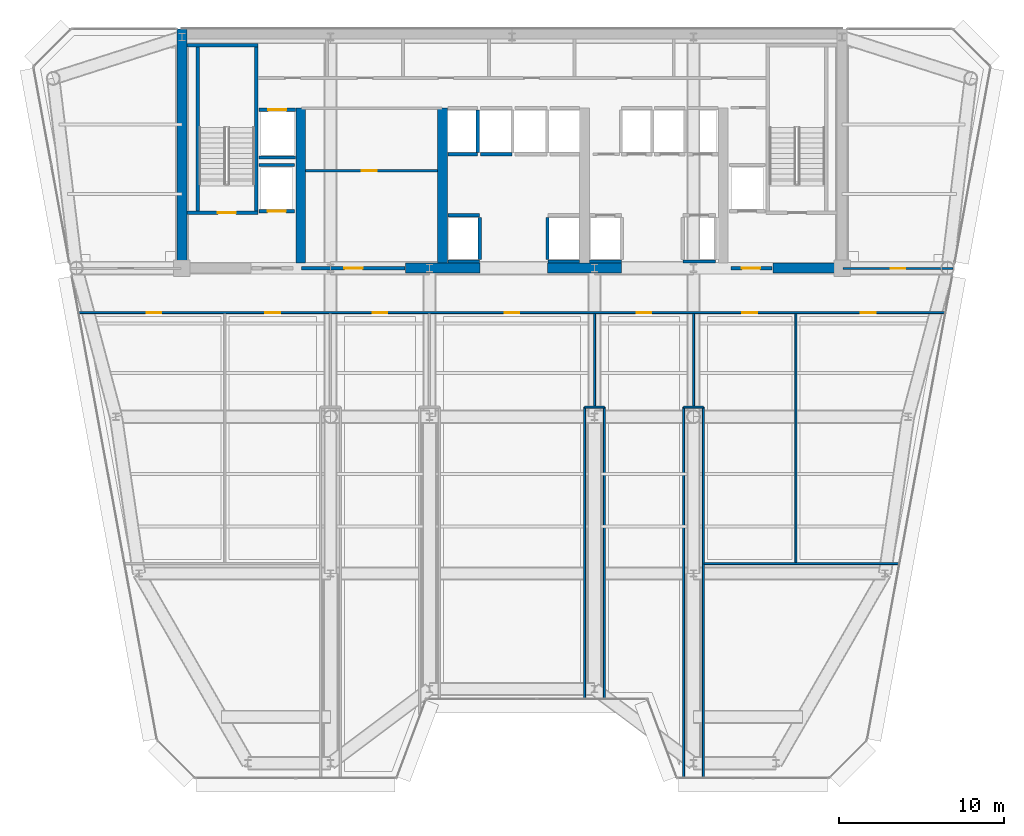
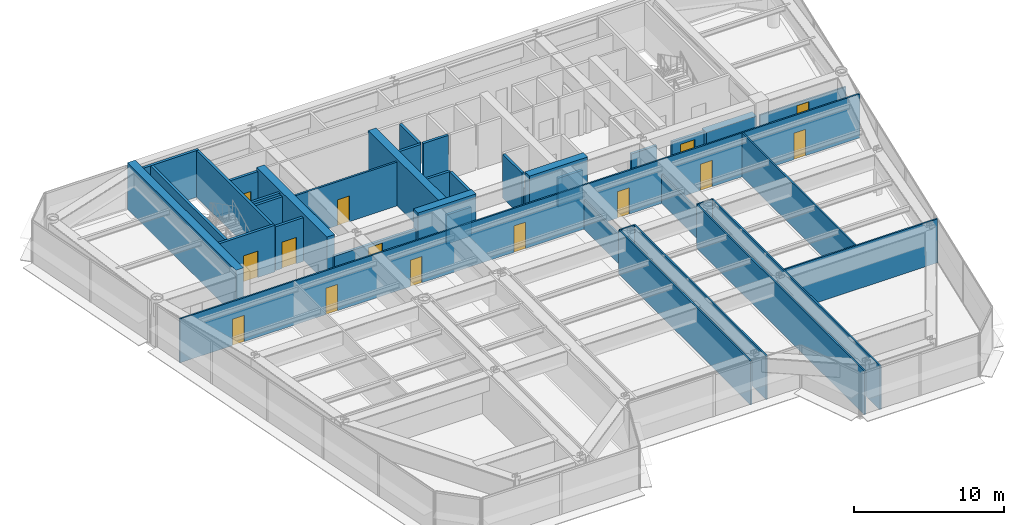
# One storey, part 10 of 16: 39 walls, 14 doors, 14 openings.
"""IFC4 building model written with IfcOpenShell, lengths in metres."""

import ifcopenshell
import ifcopenshell.guid

model = None  # the IFC model being written
_history = None  # IfcOwnerHistory: only IFC2X3 demands one
_inside = {}  # id of a spatial element -> (the spatial element, [elements in it])
_under = {}  # id of a project, library or spatial element -> (it, [spatial elements below it])
_declared = {}  # id of a project -> (the project, [libraries it declares])
_typed = {}  # id of a type object -> (the type object, [elements of that type])
_made_of = {}  # id of a material, layer set ... -> (it, [elements and type objects made of it])


def new_model(schema):
    """Start an empty IFC model of exactly this schema.

    Asked for "IFC4X3", IfcOpenShell would pick the latest addendum, in which some entities
    have other attributes; the version numbers below select the first issue.
    IFC2X3 requires an IfcOwnerHistory on every rooted entity: one is made here for all.
    """
    global model, _history
    if schema == "IFC4X3":
        model = ifcopenshell.file(schema_version=(4, 3, 0, 0))
    else:
        model = ifcopenshell.file(schema=schema)
    _inside.clear()
    _under.clear()
    _declared.clear()
    _typed.clear()
    _made_of.clear()
    _history = None
    if model.schema == "IFC2X3":
        org = make("IfcOrganization", Name="unknown")
        user = make(
            "IfcPersonAndOrganization",
            ThePerson=make("IfcPerson", FamilyName="unknown"),
            TheOrganization=org,
        )
        app = make(
            "IfcApplication",
            ApplicationDeveloper=org,
            Version="unknown",
            ApplicationFullName="unknown",
            ApplicationIdentifier="unknown",
        )
        _history = make(
            "IfcOwnerHistory",
            OwningUser=user,
            OwningApplication=app,
            ChangeAction="ADDED",
            CreationDate=0,
        )
    return model


def make(cls, **values):
    """One entity of the class cls with the attributes given. An attribute that is None is left unset."""
    return model.create_entity(
        cls, **{name: value for name, value in values.items() if value is not None}
    )


def rooted(cls, **values):
    """An entity with a GlobalId (a new one), such as an element, a storey or a relation."""
    return make(cls, GlobalId=ifcopenshell.guid.new(), OwnerHistory=_history, **values)


def si_unit(unit_type, name, prefix=None):
    """IfcSIUnit, for example si_unit("LENGTHUNIT", "METRE", prefix="MILLI")."""
    return make("IfcSIUnit", UnitType=unit_type, Prefix=prefix, Name=name)


def assignment(units):
    """IfcUnitAssignment: the units of a project."""
    return None if units is None else make("IfcUnitAssignment", Units=units)


def point(xyz):
    """IfcCartesianPoint."""
    return None if xyz is None else make("IfcCartesianPoint", Coordinates=xyz)


def direction(xyz):
    """IfcDirection."""
    return None if xyz is None else make("IfcDirection", DirectionRatios=xyz)


def frame(location, z_axis=None, x_axis=None):
    """IfcAxis2Placement3D, a coordinate frame: its origin and axes. An axis left out is left unset."""
    return make(
        "IfcAxis2Placement3D",
        Location=point(location),
        Axis=direction(z_axis),
        RefDirection=direction(x_axis),
    )


def frame_2d(location, x_axis=None):
    """IfcAxis2Placement2D, a coordinate frame in the plane: its origin and x axis."""
    return make(
        "IfcAxis2Placement2D", Location=point(location), RefDirection=direction(x_axis)
    )


def origin():
    """The frame at (0, 0, 0) with its axes left unset."""
    return frame((0.0, 0.0, 0.0))


def place(relative_to, where):
    """IfcLocalPlacement: puts the frame where relative to a parent placement (None: the world)."""
    return make(
        "IfcLocalPlacement", PlacementRelTo=relative_to, RelativePlacement=where
    )


def context(
    kind, dimensions, precision=None, world=None, true_north=None, identifier=None
):
    """IfcGeometricRepresentationContext, for example the 3D "Model" context."""
    return make(
        "IfcGeometricRepresentationContext",
        ContextIdentifier=identifier,
        ContextType=kind,
        CoordinateSpaceDimension=dimensions,
        Precision=precision,
        WorldCoordinateSystem=world,
        TrueNorth=true_north,
    )


def subcontext(parent, identifier, kind, view, scale=None):
    """IfcGeometricRepresentationSubContext, for example "Body" below "Model"."""
    return make(
        "IfcGeometricRepresentationSubContext",
        ContextIdentifier=identifier,
        ContextType=kind,
        ParentContext=parent,
        TargetScale=scale,
        TargetView=view,
    )


def project(units=None, contexts=None):
    """IfcProject with its units and contexts."""
    return rooted(
        "IfcProject",
        Name="project",
        RepresentationContexts=contexts,
        UnitsInContext=assignment(units),
    )


def spatial(cls, under=None, at=None, **own):
    """A site, building, storey or space (cls), placed at a placement, below another one or the project."""
    s = rooted(cls, ObjectPlacement=at, **own)
    if under is not None:
        _under.setdefault(under.id(), (under, []))[1].append(s)
    return s


def profile(cls, at=None, kind="AREA", **sizes):
    """A parametric profile (cls). Its sizes go by their IFC names, for example OverallWidth=200.0."""
    return make(cls, ProfileType=kind, Position=at, **sizes)


def rectangle(**sizes):
    """IfcRectangleProfileDef."""
    return profile("IfcRectangleProfileDef", **sizes)


def extrude(swept, where, along, depth):
    """IfcExtrudedAreaSolid: the profile swept, set in the frame where, extruded along a direction by depth."""
    return make(
        "IfcExtrudedAreaSolid",
        SweptArea=swept,
        Position=where,
        ExtrudedDirection=direction(along),
        Depth=depth,
    )


def shape(context_of_items, identifier, shape_type, items):
    """IfcShapeRepresentation: the items that make up one representation, for example the "Body"."""
    return make(
        "IfcShapeRepresentation",
        ContextOfItems=context_of_items,
        RepresentationIdentifier=identifier,
        RepresentationType=shape_type,
        Items=items,
    )


def source(mapping_origin, context_of_items, identifier, shape_type, items):
    """IfcRepresentationMap: a shape defined once, which mapped items show again and again."""
    return make(
        "IfcRepresentationMap",
        MappingOrigin=mapping_origin,
        MappedRepresentation=shape(context_of_items, identifier, shape_type, items),
    )


def transform(
    local_origin,
    x_axis=None,
    y_axis=None,
    z_axis=None,
    scale=None,
    scale2=None,
    scale3=None,
    uniform=True,
):
    """IfcCartesianTransformationOperator3D, or its non-uniform kind. x_axis, y_axis, z_axis: its Axis1, 2, 3."""
    if uniform:
        return make(
            "IfcCartesianTransformationOperator3D",
            Axis1=direction(x_axis),
            Axis2=direction(y_axis),
            LocalOrigin=point(local_origin),
            Scale=scale,
            Axis3=direction(z_axis),
        )
    return make(
        "IfcCartesianTransformationOperator3DnonUniform",
        Axis1=direction(x_axis),
        Axis2=direction(y_axis),
        LocalOrigin=point(local_origin),
        Scale=scale,
        Axis3=direction(z_axis),
        Scale2=scale2,
        Scale3=scale3,
    )


def mapped(mapping_source, mapping_target):
    """IfcMappedItem: shows the shape of a source again, moved by a transform."""
    return make(
        "IfcMappedItem", MappingSource=mapping_source, MappingTarget=mapping_target
    )


def material(Name=None, Category=None):
    """IfcMaterial."""
    return make("IfcMaterial", Name=Name, Category=Category)


def layer(
    of_material, thickness, ventilated=None, Name=None, Category=None, Priority=None
):
    """IfcMaterialLayer: one layer of a wall or slab, of a material (None: an air gap)."""
    return make(
        "IfcMaterialLayer",
        Material=of_material,
        LayerThickness=thickness,
        IsVentilated=ventilated,
        Name=Name,
        Category=Category,
        Priority=Priority,
    )


def layer_set(layers, Name=None):
    """IfcMaterialLayerSet."""
    return make("IfcMaterialLayerSet", MaterialLayers=layers, LayerSetName=Name)


def made_of(thing, what):
    """Note that an element or type object is made of a material, layer set ...; save() writes the relation."""
    if what is not None:
        _made_of.setdefault(what.id(), (what, []))[1].append(thing)
    return thing


def type_object(cls, material=None, **own):
    """A type object (cls), such as IfcWallType, which elements share."""
    return made_of(rooted(cls, **own), material)


def element(
    cls,
    number,
    at=None,
    inside=None,
    cuts=None,
    type_object=None,
    material=None,
    context=None,
    identifier="Body",
    shape_type=None,
    held_by="IfcProductDefinitionShape",
    body=None,
    shapes=None,
    **own,
):
    """One element of the class cls, such as IfcWall. Its Tag is "e" and its number.

    at: its placement. inside: the storey or other place that contains it. cuts: it is an
    opening in that element (IfcRelVoidsElement). A single representation is given by context,
    identifier, shape_type and body (its items); several are given by shapes. held_by: the class
    of the entity that holds the representations. save() writes the other relations.
    """
    e = rooted(cls, Tag="e%d" % number, ObjectPlacement=at, **own)
    if body is not None:
        shapes = [shape(context, identifier, shape_type, body)]
    if shapes is not None:
        e.Representation = make(held_by, Representations=shapes)
    if inside is not None:
        _inside.setdefault(inside.id(), (inside, []))[1].append(e)
    if cuts is not None:
        rooted(
            "IfcRelVoidsElement", RelatingBuildingElement=cuts, RelatedOpeningElement=e
        )
    if type_object is not None:
        _typed.setdefault(type_object.id(), (type_object, []))[1].append(e)
    return made_of(e, material)


def fill(opening, filler):
    """IfcRelFillsElement: the door or window that sits in an opening."""
    return rooted(
        "IfcRelFillsElement",
        RelatingOpeningElement=opening,
        RelatedBuildingElement=filler,
    )


def aggregate(whole, parts):
    """IfcRelAggregates: a whole, such as a stair, and the parts it consists of."""
    return rooted("IfcRelAggregates", RelatingObject=whole, RelatedObjects=parts)


def save(model, path):
    """Write the relations noted so far, then the file.

    IfcRelAggregates (storeys below a building ...), IfcRelContainedInSpatialStructure (elements
    in a storey), IfcRelDefinesByType, IfcRelAssociatesMaterial and IfcRelDeclares: one each for
    every whole, place, type object, material and project.
    """
    for whole, parts in _under.values():
        aggregate(whole, parts)
    for where, things in _inside.values():
        rooted(
            "IfcRelContainedInSpatialStructure",
            RelatedElements=things,
            RelatingStructure=where,
        )
    for kind, things in _typed.values():
        rooted("IfcRelDefinesByType", RelatedObjects=things, RelatingType=kind)
    for what, things in _made_of.values():
        rooted("IfcRelAssociatesMaterial", RelatedObjects=things, RelatingMaterial=what)
    for by, libraries in _declared.values():
        rooted("IfcRelDeclares", RelatingContext=by, RelatedDefinitions=libraries)
    model.write(path)


model = new_model("IFC4")

# Units and contexts
model_context = context("Model", 3, precision=1e-05, world=origin(), true_north=direction((0.0, 1.0)))
body_context = subcontext(model_context, "Body", "Model", "MODEL_VIEW")
ifc_project = project(units=[si_unit("LENGTHUNIT", "METRE"), si_unit("AREAUNIT", "SQUARE_METRE"), si_unit("VOLUMEUNIT", "CUBIC_METRE"), si_unit("PLANEANGLEUNIT", "RADIAN"), si_unit("MASSUNIT", "GRAM", prefix="KILO")], contexts=[model_context])

# Site, building, storey
site_placement = place(None, origin())
site = spatial("IfcSite", under=ifc_project, at=site_placement, CompositionType="ELEMENT")
building_placement = place(site_placement, origin())
building = spatial("IfcBuilding", under=site, at=building_placement, Name="Vaeldorn Concourse Tower", CompositionType="ELEMENT")
storey_placement = place(building_placement, frame((0.0, 0.0, 203.199951171875)))
storey = spatial("IfcBuildingStorey", under=building, at=storey_placement, Name="L52", CompositionType="ELEMENT", Elevation=203.199951171875)

# Walls
ifc_material_1 = material(Name="Concrete C50/60", Category="concrete")
ifc_layer_1 = layer(ifc_material_1, 0.60009765625)
ifc_layer_set_1 = layer_set([ifc_layer_1], Name="Concrete C50/60")
wall_type_1 = type_object("IfcWallType", Name="WL-CORE-600", PredefinedType="SHEAR", material=ifc_layer_set_1)
wall_1_placement = place(storey_placement, frame((14.0, 36.5, 0.0), z_axis=(0.0, 0.0, 1.0), x_axis=(0.0, 1.0, 0.0)))
element("IfcWall", 1, at=wall_1_placement, inside=storey, type_object=wall_type_1, Name="Rear Core Shear Wall L52 W1", PredefinedType="SHEAR", context=body_context, shape_type="SweptSolid", body=[
    extrude(rectangle(XDim=14.5, YDim=0.60009765625, at=frame_2d((7.25, 0.0))), origin(), (0.0, 0.0, 1.0), 3.800048828125),
])
for number, where, z_axis, x_axis, name in (
    (2, (27.550048828125, 36.5, 0.0), (0.0, 0.0, 1.0), (1.0, 0.0, 0.0), "Rear Core Shear Wall L52 S2"),
    (3, (36.14990234375, 36.5, 0.0), (0.0, 0.0, 1.0), (1.0, 0.0, 0.0), "Rear Core Shear Wall L52 S3"),
):
    element("IfcWall", number, at=place(storey_placement, frame(where, z_axis=z_axis, x_axis=x_axis)), inside=storey, type_object=wall_type_1, Name=name, PredefinedType="SHEAR", context=body_context, shape_type="SweptSolid", body=[
        extrude(rectangle(XDim=4.5, YDim=0.60009765625, at=frame_2d((2.25, 0.0))), origin(), (0.0, 0.0, 1.0), 3.800048828125),
    ])
wall_2_placement = place(storey_placement, frame((49.800048828125, 36.5, 0.0), z_axis=(0.0, 0.0, 1.0), x_axis=(1.0, 0.0, 0.0)))
element("IfcWall", 4, at=wall_2_placement, inside=storey, type_object=wall_type_1, Name="Rear Core Shear Wall L52 S4", PredefinedType="SHEAR", context=body_context, shape_type="SweptSolid", body=[
    extrude(rectangle(XDim=3.8798828125, YDim=0.60009765625, at=frame_2d((1.93994140625, 0.0))), origin(), (0.0, 0.0, 1.0), 2.580078125),
])
for number, where, z_axis, x_axis, name in (
    (5, (21.199951171875, 36.820068359375, 0.0), (0.0, 0.0, 1.0), (0.0, 1.0, 0.0), "Rear Core Shear Wall L52 M1"),
    (6, (29.800048828125, 36.820068359375, 0.0), (0.0, 0.0, 1.0), (0.0, 1.0, 0.0), "Rear Core Shear Wall L52 M2"),
):
    element("IfcWall", number, at=place(storey_placement, frame(where, z_axis=z_axis, x_axis=x_axis)), inside=storey, type_object=wall_type_1, Name=name, PredefinedType="SHEAR", context=body_context, shape_type="SweptSolid", body=[
        extrude(rectangle(XDim=9.3798828125, YDim=0.60009765625, at=frame_2d((4.68994140625, 0.0))), origin(), (0.0, 0.0, 1.0), 3.800048828125),
    ])

# Wall, openings, doors
ifc_material_2 = material(Name="Gypsum Board Partition", Category="gypsum")
ifc_layer_2 = layer(ifc_material_2, 0.1201171875)
ifc_layer_set_2 = layer_set([ifc_layer_2], Name="Gypsum Board Partition")
wall_type_2 = type_object("IfcWallType", Name="WL-PART-120", PredefinedType="PARTITIONING", material=ifc_layer_set_2)
wall_3_placement = place(storey_placement, frame((7.775634765625, 33.800048828125, 0.0), z_axis=(0.0, 0.0, 1.0), x_axis=(1.0, 0.0, 0.0)))
wall_3 = element("IfcWall", 7, at=wall_3_placement, inside=storey, type_object=wall_type_2, Name="Interior Wall PW-L52-C2S", PredefinedType="PARTITIONING", context=body_context, shape_type="SweptSolid", body=[
    extrude(rectangle(XDim=52.44873046875, YDim=0.1201171875, at=frame_2d((26.224365234375, 0.0))), origin(), (0.0, 0.0, 1.0), 3.580078125),
])
opening_1_placement = place(wall_3_placement, frame((4.08203125, 0.0, 0.0)))
opening_1 = element("IfcOpeningElement", 8, at=opening_1_placement, cuts=wall_3, Name="Opening D-03", PredefinedType="OPENING", context=body_context, shape_type="SweptSolid", body=[
    extrude(rectangle(XDim=0.89990234375, YDim=2.14990234375, at=frame_2d((0.449951171875, 1.074951171875))), frame((0.0, 0.070068359375, 0.0), z_axis=(0.0, -1.0, 0.0), x_axis=(1.0, 0.0, 0.0)), (0.0, 0.0, 1.0), 0.14013671875),
])
opening_2_placement = place(wall_3_placement, frame((11.27392578125, 0.0, 0.0)))
opening_2 = element("IfcOpeningElement", 9, at=opening_2_placement, cuts=wall_3, Name="Opening D-03", PredefinedType="OPENING", context=body_context, shape_type="SweptSolid", body=[
    extrude(rectangle(XDim=0.89990234375, YDim=2.14990234375, at=frame_2d((0.449951171875, 1.074951171875))), frame((0.0, 0.070068359375, 0.0), z_axis=(0.0, -1.0, 0.0), x_axis=(1.0, 0.0, 0.0)), (0.0, 0.0, 1.0), 0.14013671875),
])
opening_3_placement = place(wall_3_placement, frame((17.77392578125, 0.0, 0.0)))
opening_3 = element("IfcOpeningElement", 10, at=opening_3_placement, cuts=wall_3, Name="Opening D-03", PredefinedType="OPENING", context=body_context, shape_type="SweptSolid", body=[
    extrude(rectangle(XDim=0.89990234375, YDim=2.14990234375, at=frame_2d((0.449951171875, 1.074951171875))), frame((0.0, 0.070068359375, 0.0), z_axis=(0.0, -1.0, 0.0), x_axis=(1.0, 0.0, 0.0)), (0.0, 0.0, 1.0), 0.14013671875),
])
opening_4_placement = place(wall_3_placement, frame((25.77392578125, 0.0, 0.0)))
opening_4 = element("IfcOpeningElement", 11, at=opening_4_placement, cuts=wall_3, Name="Opening D-03", PredefinedType="OPENING", context=body_context, shape_type="SweptSolid", body=[
    extrude(rectangle(XDim=0.89990234375, YDim=2.14990234375, at=frame_2d((0.449951171875, 1.074951171875))), frame((0.0, 0.070068359375, 0.0), z_axis=(0.0, -1.0, 0.0), x_axis=(1.0, 0.0, 0.0)), (0.0, 0.0, 1.0), 0.14013671875),
])
opening_5_placement = place(wall_3_placement, frame((33.77392578125, 0.0, 0.0)))
opening_5 = element("IfcOpeningElement", 12, at=opening_5_placement, cuts=wall_3, Name="Opening D-03", PredefinedType="OPENING", context=body_context, shape_type="SweptSolid", body=[
    extrude(rectangle(XDim=0.89990234375, YDim=2.14990234375, at=frame_2d((0.449951171875, 1.074951171875))), frame((0.0, 0.070068359375, 0.0), z_axis=(0.0, -1.0, 0.0), x_axis=(1.0, 0.0, 0.0)), (0.0, 0.0, 1.0), 0.14013671875),
])
opening_6_placement = place(wall_3_placement, frame((40.174072265625, 0.0, 0.0)))
opening_6 = element("IfcOpeningElement", 13, at=opening_6_placement, cuts=wall_3, Name="Opening D-03", PredefinedType="OPENING", context=body_context, shape_type="SweptSolid", body=[
    extrude(rectangle(XDim=0.89990234375, YDim=2.14990234375, at=frame_2d((0.449951171875, 1.074951171875))), frame((0.0, 0.070068359375, 0.0), z_axis=(0.0, -1.0, 0.0), x_axis=(1.0, 0.0, 0.0)), (0.0, 0.0, 1.0), 0.14013671875),
])
opening_7_placement = place(wall_3_placement, frame((47.365966796875, 0.0, 0.0)))
opening_7 = element("IfcOpeningElement", 14, at=opening_7_placement, cuts=wall_3, Name="Opening D-03", PredefinedType="OPENING", context=body_context, shape_type="SweptSolid", body=[
    extrude(rectangle(XDim=0.89990234375, YDim=2.14990234375, at=frame_2d((0.449951171875, 1.074951171875))), frame((0.0, 0.070068359375, 0.0), z_axis=(0.0, -1.0, 0.0), x_axis=(1.0, 0.0, 0.0)), (0.0, 0.0, 1.0), 0.14013671875),
])
ifc_material_3 = material(Name="Acoustic Bronze-Framed Glass Door", Category="glass")
door_type_1 = type_object("IfcDoorType", Name="DR-INT-900", OperationType="NOTDEFINED", PredefinedType="DOOR", material=ifc_material_3)
shared_shape_1 = source(origin(), body_context, "Body", "SweptSolid", [
    extrude(rectangle(XDim=0.89990234375, YDim=2.14990234375, at=frame_2d((0.449951171875, 1.074951171875))), frame((0.0, 0.02490234375, 0.0), z_axis=(0.0, -1.0, 0.0), x_axis=(1.0, 0.0, 0.0)), (0.0, 0.0, 1.0), 0.050048828125),
])
door_1_placement = place(opening_1_placement, origin())
door_1 = element("IfcDoor", 15, at=door_1_placement, inside=storey, type_object=door_type_1, Name="Interior Door DR-L52-SBR1", OperationType="SINGLE_SWING_LEFT", OverallHeight=2.14990234375, OverallWidth=0.89990234375, PredefinedType="DOOR", context=body_context, shape_type="MappedRepresentation", body=[
    mapped(shared_shape_1, transform((0.0, 0.0, 0.0), scale=1.0)),
])
fill(opening_1, door_1)
door_2_placement = place(opening_2_placement, origin())
door_2 = element("IfcDoor", 16, at=door_2_placement, inside=storey, type_object=door_type_1, Name="Interior Door DR-L52-SBR2", OperationType="SINGLE_SWING_RIGHT", OverallHeight=2.14990234375, OverallWidth=0.89990234375, PredefinedType="DOOR", context=body_context, shape_type="MappedRepresentation", body=[
    mapped(shared_shape_1, transform((0.0, 0.0, 0.0), scale=1.0)),
])
fill(opening_2, door_2)
door_3_placement = place(opening_3_placement, origin())
door_3 = element("IfcDoor", 17, at=door_3_placement, inside=storey, type_object=door_type_1, Name="Interior Door DR-L52-SBR3", OperationType="SINGLE_SWING_LEFT", OverallHeight=2.14990234375, OverallWidth=0.89990234375, PredefinedType="DOOR", context=body_context, shape_type="MappedRepresentation", body=[
    mapped(shared_shape_1, transform((0.0, 0.0, 0.0), scale=1.0)),
])
fill(opening_3, door_3)
door_4_placement = place(opening_4_placement, origin())
door_4 = element("IfcDoor", 18, at=door_4_placement, inside=storey, type_object=door_type_1, Name="Interior Door DR-L52-SBR4", OperationType="SINGLE_SWING_RIGHT", OverallHeight=2.14990234375, OverallWidth=0.89990234375, PredefinedType="DOOR", context=body_context, shape_type="MappedRepresentation", body=[
    mapped(shared_shape_1, transform((0.0, 0.0, 0.0), scale=1.0)),
])
fill(opening_4, door_4)
door_5_placement = place(opening_5_placement, origin())
door_5 = element("IfcDoor", 19, at=door_5_placement, inside=storey, type_object=door_type_1, Name="Interior Door DR-L52-SBR5", OperationType="SINGLE_SWING_LEFT", OverallHeight=2.14990234375, OverallWidth=0.89990234375, PredefinedType="DOOR", context=body_context, shape_type="MappedRepresentation", body=[
    mapped(shared_shape_1, transform((0.0, 0.0, 0.0), scale=1.0)),
])
fill(opening_5, door_5)
door_6_placement = place(opening_6_placement, origin())
door_6 = element("IfcDoor", 20, at=door_6_placement, inside=storey, type_object=door_type_1, Name="Interior Door DR-L52-SBR6", OperationType="SINGLE_SWING_RIGHT", OverallHeight=2.14990234375, OverallWidth=0.89990234375, PredefinedType="DOOR", context=body_context, shape_type="MappedRepresentation", body=[
    mapped(shared_shape_1, transform((0.0, 0.0, 0.0), scale=1.0)),
])
fill(opening_6, door_6)
door_7_placement = place(opening_7_placement, origin())
door_7 = element("IfcDoor", 21, at=door_7_placement, inside=storey, type_object=door_type_1, Name="Interior Door DR-L52-SBR7", OperationType="SINGLE_SWING_LEFT", OverallHeight=2.14990234375, OverallWidth=0.89990234375, PredefinedType="DOOR", context=body_context, shape_type="MappedRepresentation", body=[
    mapped(shared_shape_1, transform((0.0, 0.0, 0.0), scale=1.0)),
])
fill(opening_7, door_7)

# Wall, opening, door
wall_4_placement = place(storey_placement, frame((54.06005859375, 36.47998046875, 0.0), z_axis=(0.0, 0.0, 1.0), x_axis=(1.0, 0.0, 0.0)))
wall_4 = element("IfcWall", 22, at=wall_4_placement, inside=storey, type_object=wall_type_2, Name="Interior Wall PW-L52-NES", PredefinedType="PARTITIONING", context=body_context, shape_type="SweptSolid", body=[
    extrude(rectangle(XDim=6.65087890625, YDim=0.1201171875, at=frame_2d((3.325439453125, 0.0))), origin(), (0.0, 0.0, 1.0), 2.3701171875),
])
opening_8_placement = place(wall_4_placement, frame((2.875, 0.0, 0.0)))
opening_8 = element("IfcOpeningElement", 23, at=opening_8_placement, cuts=wall_4, Name="Opening D-03", PredefinedType="OPENING", context=body_context, shape_type="SweptSolid", body=[
    extrude(rectangle(XDim=0.89990234375, YDim=2.14990234375, at=frame_2d((0.449951171875, 1.074951171875))), frame((0.0, 0.070068359375, 0.0), z_axis=(0.0, -1.0, 0.0), x_axis=(1.0, 0.0, 0.0)), (0.0, 0.0, 1.0), 0.14013671875),
])
door_8_placement = place(opening_8_placement, origin())
door_8 = element("IfcDoor", 24, at=door_8_placement, inside=storey, type_object=door_type_1, Name="Interior Door DR-L52-NEC", OperationType="SINGLE_SWING_RIGHT", OverallHeight=2.14990234375, OverallWidth=0.89990234375, PredefinedType="DOOR", context=body_context, shape_type="MappedRepresentation", body=[
    mapped(shared_shape_1, transform((0.0, 0.0, 0.0), scale=1.0)),
])
fill(opening_8, door_8)

# Walls
wall_5_placement = place(storey_placement, frame((45.639892578125, 18.60009765625, 0.0), z_axis=(0.0, 0.0, 1.0), x_axis=(1.0, 0.0, 0.0)))
element("IfcWall", 25, at=wall_5_placement, inside=storey, type_object=wall_type_2, Name="Interior Wall PW-L52-FLE", PredefinedType="PARTITIONING", context=body_context, shape_type="SweptSolid", body=[
    extrude(rectangle(XDim=11.793701171875, YDim=0.1201171875, at=frame_2d((5.89697265625, 0.0))), origin(), (0.0, 0.0, 1.0), 3.580078125),
])
for number, where, z_axis, x_axis, name in (
    (26, (38.39990234375, 10.43994140625, 0.0), (0.0, 0.0, 1.0), (0.0, 1.0, 0.0), "Interior Wall PW-L52-SB3W"),
    (27, (39.60009765625, 10.43994140625, 0.0), (0.0, 0.0, 1.0), (0.0, 1.0, 0.0), "Interior Wall PW-L52-SB3E"),
):
    element("IfcWall", number, at=place(storey_placement, frame(where, z_axis=z_axis, x_axis=x_axis)), inside=storey, type_object=wall_type_2, Name=name, PredefinedType="PARTITIONING", context=body_context, shape_type="SweptSolid", body=[
        extrude(rectangle(XDim=17.64013671875, YDim=0.1201171875, at=frame_2d((8.820068359375, 0.0))), origin(), (0.0, 0.0, 1.0), 3.580078125),
    ])
wall_6_placement = place(storey_placement, frame((38.39990234375, 28.080078125, 0.0), z_axis=(0.0, 0.0, 1.0), x_axis=(1.0, 0.0, 0.0)))
element("IfcWall", 28, at=wall_6_placement, inside=storey, type_object=wall_type_2, Name="Interior Wall PW-L52-SB3N", PredefinedType="PARTITIONING", context=body_context, shape_type="SweptSolid", body=[
    extrude(rectangle(XDim=1.2001953125, YDim=0.1201171875, at=frame_2d((0.60009765625, 0.0))), origin(), (0.0, 0.0, 1.0), 3.580078125),
])
wall_7_placement = place(storey_placement, frame((39.0, 28.139892578125, 0.0), z_axis=(0.0, 0.0, 1.0), x_axis=(0.0, 1.0, 0.0)))
element("IfcWall", 29, at=wall_7_placement, inside=storey, type_object=wall_type_2, Name="Interior Wall PW-L52-SBP3", PredefinedType="PARTITIONING", context=body_context, shape_type="SweptSolid", body=[
    extrude(rectangle(XDim=5.60009765625, YDim=0.1201171875, at=frame_2d((2.800048828125, 0.0))), origin(), (0.0, 0.0, 1.0), 2.3701171875),
])
for number, where, z_axis, x_axis, name in (
    (30, (44.39990234375, 5.639892578125, 0.0), (0.0, 0.0, 1.0), (0.0, 1.0, 0.0), "Interior Wall PW-L52-SB4W"),
    (31, (45.60009765625, 5.639892578125, 0.0), (0.0, 0.0, 1.0), (0.0, 1.0, 0.0), "Interior Wall PW-L52-SB4E"),
):
    element("IfcWall", number, at=place(storey_placement, frame(where, z_axis=z_axis, x_axis=x_axis)), inside=storey, type_object=wall_type_2, Name=name, PredefinedType="PARTITIONING", context=body_context, shape_type="SweptSolid", body=[
        extrude(rectangle(XDim=22.440185546875, YDim=0.1201171875, at=frame_2d((11.22021484375, 0.0))), origin(), (0.0, 0.0, 1.0), 3.580078125),
    ])
wall_8_placement = place(storey_placement, frame((44.39990234375, 28.080078125, 0.0), z_axis=(0.0, 0.0, 1.0), x_axis=(1.0, 0.0, 0.0)))
element("IfcWall", 32, at=wall_8_placement, inside=storey, type_object=wall_type_2, Name="Interior Wall PW-L52-SB4N", PredefinedType="PARTITIONING", context=body_context, shape_type="SweptSolid", body=[
    extrude(rectangle(XDim=1.2001953125, YDim=0.1201171875, at=frame_2d((0.60009765625, 0.0))), origin(), (0.0, 0.0, 1.0), 3.580078125),
])
wall_9_placement = place(storey_placement, frame((45.0, 28.139892578125, 0.0), z_axis=(0.0, 0.0, 1.0), x_axis=(0.0, 1.0, 0.0)))
element("IfcWall", 33, at=wall_9_placement, inside=storey, type_object=wall_type_2, Name="Interior Wall PW-L52-SBP4", PredefinedType="PARTITIONING", context=body_context, shape_type="SweptSolid", body=[
    extrude(rectangle(XDim=5.60009765625, YDim=0.1201171875, at=frame_2d((2.800048828125, 0.0))), origin(), (0.0, 0.0, 1.0), 2.3701171875),
])
wall_10_placement = place(storey_placement, frame((51.199951171875, 18.639892578125, 0.0), z_axis=(0.0, 0.0, 1.0), x_axis=(0.0, 1.0, 0.0)))
element("IfcWall", 34, at=wall_10_placement, inside=storey, type_object=wall_type_2, Name="Interior Wall PW-L52-SBX6", PredefinedType="PARTITIONING", context=body_context, shape_type="SweptSolid", body=[
    extrude(rectangle(XDim=15.10009765625, YDim=0.1201171875, at=frame_2d((7.550048828125, 0.0))), origin(), (0.0, 0.0, 1.0), 3.580078125),
])

# Wall, opening, door
ifc_layer_3 = layer(ifc_material_2, 0.14990234375)
ifc_layer_set_3 = layer_set([ifc_layer_3], Name="Gypsum Board Partition")
wall_type_3 = type_object("IfcWallType", Name="WL-PART-150", PredefinedType="PARTITIONING", material=ifc_layer_set_3)
wall_11_placement = place(storey_placement, frame((21.5, 42.39990234375, 0.0), z_axis=(0.0, 0.0, 1.0), x_axis=(1.0, 0.0, 0.0)))
wall_11 = element("IfcWall", 35, at=wall_11_placement, inside=storey, type_object=wall_type_3, Name="Interior Wall CW-L52-R1M", PredefinedType="PARTITIONING", context=body_context, shape_type="SweptSolid", body=[
    extrude(rectangle(XDim=8.0, YDim=0.14990234375, at=frame_2d((4.0, 0.0))), origin(), (0.0, 0.0, 1.0), 3.580078125),
])
opening_9_placement = place(wall_11_placement, frame((3.39990234375, 0.0, 0.0)))
opening_9 = element("IfcOpeningElement", 36, at=opening_9_placement, cuts=wall_11, Name="Opening D-02", PredefinedType="OPENING", context=body_context, shape_type="SweptSolid", body=[
    extrude(rectangle(XDim=0.89990234375, YDim=2.10009765625, at=frame_2d((0.449951171875, 1.050048828125))), frame((0.0, 0.0849609375, 0.0), z_axis=(0.0, -1.0, 0.0), x_axis=(1.0, 0.0, 0.0)), (0.0, 0.0, 1.0), 0.169921875),
])
ifc_material_4 = material(Name="Fire-Rated Timber Leaf", Category="wood")
door_type_2 = type_object("IfcDoorType", Name="DR-FD30-900", OperationType="NOTDEFINED", PredefinedType="DOOR", material=ifc_material_4)
shared_shape_2 = source(origin(), body_context, "Body", "SweptSolid", [
    extrude(rectangle(XDim=0.89990234375, YDim=2.10009765625, at=frame_2d((0.449951171875, 1.050048828125))), frame((0.0, 0.02490234375, 0.0), z_axis=(0.0, -1.0, 0.0), x_axis=(1.0, 0.0, 0.0)), (0.0, 0.0, 1.0), 0.050048828125),
])
door_9_placement = place(opening_9_placement, origin())
door_9 = element("IfcDoor", 37, at=door_9_placement, inside=storey, type_object=door_type_2, Name="Interior Door DR-L52-R1M", OperationType="SINGLE_SWING_RIGHT", OverallHeight=2.10009765625, OverallWidth=0.89990234375, PredefinedType="DOOR", context=body_context, shape_type="MappedRepresentation", body=[
    mapped(shared_shape_2, transform((0.0, 0.0, 0.0), scale=1.0)),
])
fill(opening_9, door_9)

ifc_layer_4 = layer(ifc_material_1, 0.199951171875)
ifc_layer_set_4 = layer_set([ifc_layer_4], Name="Concrete C50/60")
wall_type_4 = type_object("IfcWallType", Name="WL-SHAFT-200", PredefinedType="SOLIDWALL", material=ifc_layer_set_4)
wall_12_placement = place(storey_placement, frame((14.300048828125, 39.85009765625, 0.0), z_axis=(0.0, 0.0, 1.0), x_axis=(1.0, 0.0, 0.0)))
wall_12 = element("IfcWall", 38, at=wall_12_placement, inside=storey, type_object=wall_type_4, Name="Stair Shaft Wall CW-L52-ST-1-S", PredefinedType="SOLIDWALL", context=body_context, shape_type="SweptSolid", body=[
    extrude(rectangle(XDim=4.300048828125, YDim=0.199951171875, at=frame_2d((2.14990234375, 0.0))), origin(), (0.0, 0.0, 1.0), 3.800048828125),
])
opening_10_placement = place(wall_12_placement, frame((1.875, 0.0, 0.0)))
opening_10 = element("IfcOpeningElement", 39, at=opening_10_placement, cuts=wall_12, Name="Opening D-01", PredefinedType="OPENING", context=body_context, shape_type="SweptSolid", body=[
    extrude(rectangle(XDim=1.10009765625, YDim=2.14990234375, at=frame_2d((0.550048828125, 1.074951171875))), frame((0.0, 0.10986328125, 0.0), z_axis=(0.0, -1.0, 0.0), x_axis=(1.0, 0.0, 0.0)), (0.0, 0.0, 1.0), 0.219970703125),
])
ifc_material_5 = material(Name="Fire-Rated Timber and Steel Leaf", Category="steel")
door_type_3 = type_object("IfcDoorType", Name="DR-FD60-1100", OperationType="NOTDEFINED", PredefinedType="DOOR", material=ifc_material_5)
shared_shape_3 = source(origin(), body_context, "Body", "SweptSolid", [
    extrude(rectangle(XDim=1.10009765625, YDim=2.14990234375, at=frame_2d((0.550048828125, 1.074951171875))), frame((0.0, 0.02490234375, 0.0), z_axis=(0.0, -1.0, 0.0), x_axis=(1.0, 0.0, 0.0)), (0.0, 0.0, 1.0), 0.050048828125),
])
door_10_placement = place(opening_10_placement, origin())
door_10 = element("IfcDoor", 40, at=door_10_placement, inside=storey, type_object=door_type_3, Name="Interior Door DR-L52-ST-1", OperationType="SINGLE_SWING_LEFT", OverallHeight=2.14990234375, OverallWidth=1.10009765625, PredefinedType="DOOR", context=body_context, shape_type="MappedRepresentation", body=[
    mapped(shared_shape_3, transform((0.0, 0.0, 0.0), scale=1.0)),
])
fill(opening_10, door_10)

# Walls
wall_13_placement = place(storey_placement, frame((14.300048828125, 50.0, 0.0), z_axis=(0.0, 0.0, 1.0), x_axis=(1.0, 0.0, 0.0)))
element("IfcWall", 41, at=wall_13_placement, inside=storey, type_object=wall_type_4, Name="Stair Shaft Wall CW-L52-ST-1-N", PredefinedType="SOLIDWALL", context=body_context, shape_type="SweptSolid", body=[
    extrude(rectangle(XDim=4.300048828125, YDim=0.199951171875, at=frame_2d((2.14990234375, 0.0))), origin(), (0.0, 0.0, 1.0), 3.800048828125),
])
for number, where, z_axis, x_axis, name in (
    (42, (14.949951171875, 39.9599609375, 0.0), (0.0, 0.0, 1.0), (0.0, 1.0, 0.0), "Stair Shaft Wall CW-L52-ST-1-W"),
    (43, (18.5, 39.9599609375, 0.0), (0.0, 0.0, 1.0), (0.0, 1.0, 0.0), "Stair Shaft Wall CW-L52-ST-1-E"),
):
    element("IfcWall", number, at=place(storey_placement, frame(where, z_axis=z_axis, x_axis=x_axis)), inside=storey, type_object=wall_type_4, Name=name, PredefinedType="SOLIDWALL", context=body_context, shape_type="SweptSolid", body=[
        extrude(rectangle(XDim=9.929931640625, YDim=0.199951171875, at=frame_2d((4.96484375, 0.0))), origin(), (0.0, 0.0, 1.0), 3.800048828125),
    ])

# Wall, opening, door
wall_14_placement = place(storey_placement, frame((47.280029296875, 36.5, 0.0), z_axis=(0.0, 0.0, 1.0), x_axis=(1.0, 0.0, 0.0)))
wall_14 = element("IfcWall", 44, at=wall_14_placement, inside=storey, type_object=wall_type_4, Name="Interior Wall CW-L52-FF2S", PredefinedType="SOLIDWALL", context=body_context, shape_type="SweptSolid", body=[
    extrude(rectangle(XDim=2.469970703125, YDim=0.199951171875, at=frame_2d((1.23486328125, 0.0))), origin(), (0.0, 0.0, 1.0), 2.570068359375),
])
opening_11_placement = place(wall_14_placement, frame((0.64990234375, 0.0, 0.0)))
opening_11 = element("IfcOpeningElement", 45, at=opening_11_placement, cuts=wall_14, Name="Opening D-01", PredefinedType="OPENING", context=body_context, shape_type="SweptSolid", body=[
    extrude(rectangle(XDim=1.10009765625, YDim=2.14990234375, at=frame_2d((0.550048828125, 1.074951171875))), frame((0.0, 0.10986328125, 0.0), z_axis=(0.0, -1.0, 0.0), x_axis=(1.0, 0.0, 0.0)), (0.0, 0.0, 1.0), 0.219970703125),
])
door_11_placement = place(opening_11_placement, origin())
door_11 = element("IfcDoor", 46, at=door_11_placement, inside=storey, type_object=door_type_3, Name="Interior Door DR-L52-FF2W", OperationType="SINGLE_SWING_LEFT", OverallHeight=2.14990234375, OverallWidth=1.10009765625, PredefinedType="DOOR", context=body_context, shape_type="MappedRepresentation", body=[
    mapped(shared_shape_3, transform((0.0, 0.0, 0.0), scale=1.0)),
])
fill(opening_11, door_11)

# Walls
wall_15_placement = place(storey_placement, frame((30.110107421875, 39.699951171875, 0.0), z_axis=(0.0, 0.0, 1.0), x_axis=(1.0, 0.0, 0.0)))
element("IfcWall", 47, at=wall_15_placement, inside=storey, type_object=wall_type_4, Name="Interior Wall CW-L52-LF-LF-07", PredefinedType="SOLIDWALL", context=body_context, shape_type="SweptSolid", body=[
    extrude(rectangle(XDim=1.919921875, YDim=0.199951171875, at=frame_2d((0.9599609375, 0.0))), origin(), (0.0, 0.0, 1.0), 3.580078125),
])
wall_16_placement = place(storey_placement, frame((30.110107421875, 36.89990234375, 0.0), z_axis=(0.0, 0.0, 1.0), x_axis=(1.0, 0.0, 0.0)))
element("IfcWall", 48, at=wall_16_placement, inside=storey, type_object=wall_type_4, Name="Interior Wall CW-L52-LFB-LF-07", PredefinedType="SOLIDWALL", context=body_context, shape_type="SweptSolid", body=[
    extrude(rectangle(XDim=1.919921875, YDim=0.199951171875, at=frame_2d((0.9599609375, 0.0))), origin(), (0.0, 0.0, 1.0), 2.3701171875),
])
wall_17_placement = place(storey_placement, frame((32.050048828125, 37.02001953125, 0.0), z_axis=(0.0, 0.0, 1.0), x_axis=(0.0, 1.0, 0.0)))
element("IfcWall", 49, at=wall_17_placement, inside=storey, type_object=wall_type_4, Name="Interior Wall CW-L52-LFE-LF-07", PredefinedType="SOLIDWALL", context=body_context, shape_type="SweptSolid", body=[
    extrude(rectangle(XDim=2.56005859375, YDim=0.199951171875, at=frame_2d((1.280029296875, 0.0))), origin(), (0.0, 0.0, 1.0), 3.580078125),
])
wall_18_placement = place(storey_placement, frame((36.169921875, 36.89990234375, 0.0), z_axis=(0.0, 0.0, 1.0), x_axis=(1.0, 0.0, 0.0)))
element("IfcWall", 50, at=wall_18_placement, inside=storey, type_object=wall_type_4, Name="Interior Wall CW-L52-LFB-LF-08", PredefinedType="SOLIDWALL", context=body_context, shape_type="SweptSolid", body=[
    extrude(rectangle(XDim=1.920166015625, YDim=0.199951171875, at=frame_2d((0.9599609375, 0.0))), origin(), (0.0, 0.0, 1.0), 2.3701171875),
])
wall_19_placement = place(storey_placement, frame((36.14990234375, 37.02001953125, 0.0), z_axis=(0.0, 0.0, 1.0), x_axis=(0.0, 1.0, 0.0)))
element("IfcWall", 51, at=wall_19_placement, inside=storey, type_object=wall_type_4, Name="Interior Wall CW-L52-LFW-LF-08", PredefinedType="SOLIDWALL", context=body_context, shape_type="SweptSolid", body=[
    extrude(rectangle(XDim=2.56005859375, YDim=0.199951171875, at=frame_2d((1.280029296875, 0.0))), origin(), (0.0, 0.0, 1.0), 3.580078125),
])
wall_20_placement = place(storey_placement, frame((30.110107421875, 43.39990234375, 0.0), z_axis=(0.0, 0.0, 1.0), x_axis=(1.0, 0.0, 0.0)))
element("IfcWall", 52, at=wall_20_placement, inside=storey, type_object=wall_type_4, Name="Interior Wall CW-L52-LF-LF-09", PredefinedType="SOLIDWALL", context=body_context, shape_type="SweptSolid", body=[
    extrude(rectangle(XDim=1.7998046875, YDim=0.199951171875, at=frame_2d((0.89990234375, 0.0))), origin(), (0.0, 0.0, 1.0), 3.580078125),
])
wall_21_placement = place(storey_placement, frame((31.929931640625, 43.52001953125, 0.0), z_axis=(0.0, 0.0, 1.0), x_axis=(0.0, 1.0, 0.0)))
element("IfcWall", 53, at=wall_21_placement, inside=storey, type_object=wall_type_4, Name="Interior Wall CW-L52-LFE-LF-09", PredefinedType="SOLIDWALL", context=body_context, shape_type="SweptSolid", body=[
    extrude(rectangle(XDim=2.56005859375, YDim=0.199951171875, at=frame_2d((1.280029296875, 0.0))), origin(), (0.0, 0.0, 1.0), 3.580078125),
])
wall_22_placement = place(storey_placement, frame((32.090087890625, 43.39990234375, 0.0), z_axis=(0.0, 0.0, 1.0), x_axis=(1.0, 0.0, 0.0)))
element("IfcWall", 54, at=wall_22_placement, inside=storey, type_object=wall_type_4, Name="Interior Wall CW-L52-LF-LF-10", PredefinedType="SOLIDWALL", context=body_context, shape_type="SweptSolid", body=[
    extrude(rectangle(XDim=1.919921875, YDim=0.199951171875, at=frame_2d((0.9599609375, 0.0))), origin(), (0.0, 0.0, 1.0), 3.580078125),
])
wall_23_placement = place(storey_placement, frame((38.7099609375, 36.89990234375, 0.0), z_axis=(0.0, 0.0, 1.0), x_axis=(1.0, 0.0, 0.0)))
element("IfcWall", 55, at=wall_23_placement, inside=storey, type_object=wall_type_4, Name="Interior Wall CW-L52-LFB-LF-13", PredefinedType="SOLIDWALL", context=body_context, shape_type="SweptSolid", body=[
    extrude(rectangle(XDim=1.919921875, YDim=0.199951171875, at=frame_2d((0.9599609375, 0.0))), origin(), (0.0, 0.0, 1.0), 2.3701171875),
])
wall_24_placement = place(storey_placement, frame((44.3701171875, 36.89990234375, 0.0), z_axis=(0.0, 0.0, 1.0), x_axis=(1.0, 0.0, 0.0)))
element("IfcWall", 56, at=wall_24_placement, inside=storey, type_object=wall_type_4, Name="Interior Wall CW-L52-LFB-LF-14", PredefinedType="SOLIDWALL", context=body_context, shape_type="SweptSolid", body=[
    extrude(rectangle(XDim=1.9599609375, YDim=0.199951171875, at=frame_2d((0.97998046875, 0.0))), origin(), (0.0, 0.0, 1.0), 2.3701171875),
])

# Wall, opening, door
wall_25_placement = place(storey_placement, frame((18.669921875, 46.10009765625, 0.0), z_axis=(0.0, 0.0, 1.0), x_axis=(1.0, 0.0, 0.0)))
wall_25 = element("IfcWall", 57, at=wall_25_placement, inside=storey, type_object=wall_type_4, Name="Interior Wall CW-L52-LF-LF-SV1", PredefinedType="SOLIDWALL", context=body_context, shape_type="SweptSolid", body=[
    extrude(rectangle(XDim=2.219970703125, YDim=0.199951171875, at=frame_2d((1.10986328125, 0.0))), origin(), (0.0, 0.0, 1.0), 3.580078125),
])
opening_12_placement = place(wall_25_placement, frame((0.56005859375, 0.0, 0.0)))
opening_12 = element("IfcOpeningElement", 58, at=opening_12_placement, cuts=wall_25, Name="Opening LD-1", PredefinedType="OPENING", context=body_context, shape_type="SweptSolid", body=[
    extrude(rectangle(XDim=1.10009765625, YDim=2.14990234375, at=frame_2d((0.550048828125, 1.074951171875))), frame((0.0, 0.10986328125, 0.0), z_axis=(0.0, -1.0, 0.0), x_axis=(1.0, 0.0, 0.0)), (0.0, 0.0, 1.0), 0.219970703125),
])
ifc_material_6 = material(Name="Anodised Bronze Aluminium", Category="aluminium")
door_type_4 = type_object("IfcDoorType", Name="DR-LIFT-SLIDE-1100", OperationType="DOUBLE_DOOR_SLIDING", PredefinedType="DOOR", material=ifc_material_6)
door_12_placement = place(opening_12_placement, origin())
door_12 = element("IfcDoor", 59, at=door_12_placement, inside=storey, type_object=door_type_4, Name="Lift Landing Door LD-L52-LF-SV1", OperationType="DOUBLE_DOOR_SLIDING", OverallHeight=2.14990234375, OverallWidth=1.10009765625, PredefinedType="DOOR", context=body_context, shape_type="MappedRepresentation", body=[
    mapped(shared_shape_3, transform((0.0, 0.0, 0.0), scale=1.0)),
])
fill(opening_12, door_12)

# Wall
wall_26_placement = place(storey_placement, frame((18.669921875, 43.199951171875, 0.0), z_axis=(0.0, 0.0, 1.0), x_axis=(1.0, 0.0, 0.0)))
element("IfcWall", 60, at=wall_26_placement, inside=storey, type_object=wall_type_4, Name="Interior Wall CW-L52-LFB-LF-SV1", PredefinedType="SOLIDWALL", context=body_context, shape_type="SweptSolid", body=[
    extrude(rectangle(XDim=2.219970703125, YDim=0.199951171875, at=frame_2d((1.10986328125, 0.0))), origin(), (0.0, 0.0, 1.0), 3.580078125),
])

# Wall, opening, door
wall_27_placement = place(storey_placement, frame((18.669921875, 39.949951171875, 0.0), z_axis=(0.0, 0.0, 1.0), x_axis=(1.0, 0.0, 0.0)))
wall_27 = element("IfcWall", 61, at=wall_27_placement, inside=storey, type_object=wall_type_4, Name="Interior Wall CW-L52-LF-LF-FF1", PredefinedType="SOLIDWALL", context=body_context, shape_type="SweptSolid", body=[
    extrude(rectangle(XDim=2.16015625, YDim=0.199951171875, at=frame_2d((1.080078125, 0.0))), origin(), (0.0, 0.0, 1.0), 3.580078125),
])
opening_13_placement = place(wall_27_placement, frame((0.530029296875, 0.0, 0.0)))
opening_13 = element("IfcOpeningElement", 62, at=opening_13_placement, cuts=wall_27, Name="Opening LD-1", PredefinedType="OPENING", context=body_context, shape_type="SweptSolid", body=[
    extrude(rectangle(XDim=1.10009765625, YDim=2.14990234375, at=frame_2d((0.550048828125, 1.074951171875))), frame((0.0, 0.10986328125, 0.0), z_axis=(0.0, -1.0, 0.0), x_axis=(1.0, 0.0, 0.0)), (0.0, 0.0, 1.0), 0.219970703125),
])
door_13_placement = place(opening_13_placement, origin())
door_13 = element("IfcDoor", 63, at=door_13_placement, inside=storey, type_object=door_type_4, Name="Lift Landing Door LD-L52-LF-FF1", OperationType="DOUBLE_DOOR_SLIDING", OverallHeight=2.14990234375, OverallWidth=1.10009765625, PredefinedType="DOOR", context=body_context, shape_type="MappedRepresentation", body=[
    mapped(shared_shape_3, transform((0.0, 0.0, 0.0), scale=1.0)),
])
fill(opening_13, door_13)

# Wall
wall_28_placement = place(storey_placement, frame((18.669921875, 42.75, 0.0), z_axis=(0.0, 0.0, 1.0), x_axis=(1.0, 0.0, 0.0)))
element("IfcWall", 64, at=wall_28_placement, inside=storey, type_object=wall_type_4, Name="Interior Wall CW-L52-LFB-LF-FF1", PredefinedType="SOLIDWALL", context=body_context, shape_type="SweptSolid", body=[
    extrude(rectangle(XDim=2.16015625, YDim=0.199951171875, at=frame_2d((1.080078125, 0.0))), origin(), (0.0, 0.0, 1.0), 3.580078125),
])

# Wall, opening, door
wall_29_placement = place(storey_placement, frame((21.25, 36.5, 0.0), z_axis=(0.0, 0.0, 1.0), x_axis=(1.0, 0.0, 0.0)))
wall_29 = element("IfcWall", 65, at=wall_29_placement, inside=storey, type_object=wall_type_4, Name="Interior Wall CW-L52-R1S", PredefinedType="SOLIDWALL", context=body_context, shape_type="SweptSolid", body=[
    extrude(rectangle(XDim=6.27001953125, YDim=0.199951171875, at=frame_2d((3.135009765625, 0.0))), origin(), (0.0, 0.0, 1.0), 2.3701171875),
])
opening_14_placement = place(wall_29_placement, frame((2.60009765625, 0.0, 0.0)))
opening_14 = element("IfcOpeningElement", 66, at=opening_14_placement, cuts=wall_29, Name="Opening D-01", PredefinedType="OPENING", context=body_context, shape_type="SweptSolid", body=[
    extrude(rectangle(XDim=1.10009765625, YDim=2.14990234375, at=frame_2d((0.550048828125, 1.074951171875))), frame((0.0, 0.10986328125, 0.0), z_axis=(0.0, -1.0, 0.0), x_axis=(1.0, 0.0, 0.0)), (0.0, 0.0, 1.0), 0.219970703125),
])
door_14_placement = place(opening_14_placement, origin())
door_14 = element("IfcDoor", 67, at=door_14_placement, inside=storey, type_object=door_type_3, Name="Interior Door DR-L52-R1S", OperationType="SINGLE_SWING_LEFT", OverallHeight=2.14990234375, OverallWidth=1.10009765625, PredefinedType="DOOR", context=body_context, shape_type="MappedRepresentation", body=[
    mapped(shared_shape_3, transform((0.0, 0.0, 0.0), scale=1.0)),
])
fill(opening_14, door_14)

save(model, "model.ifc")
